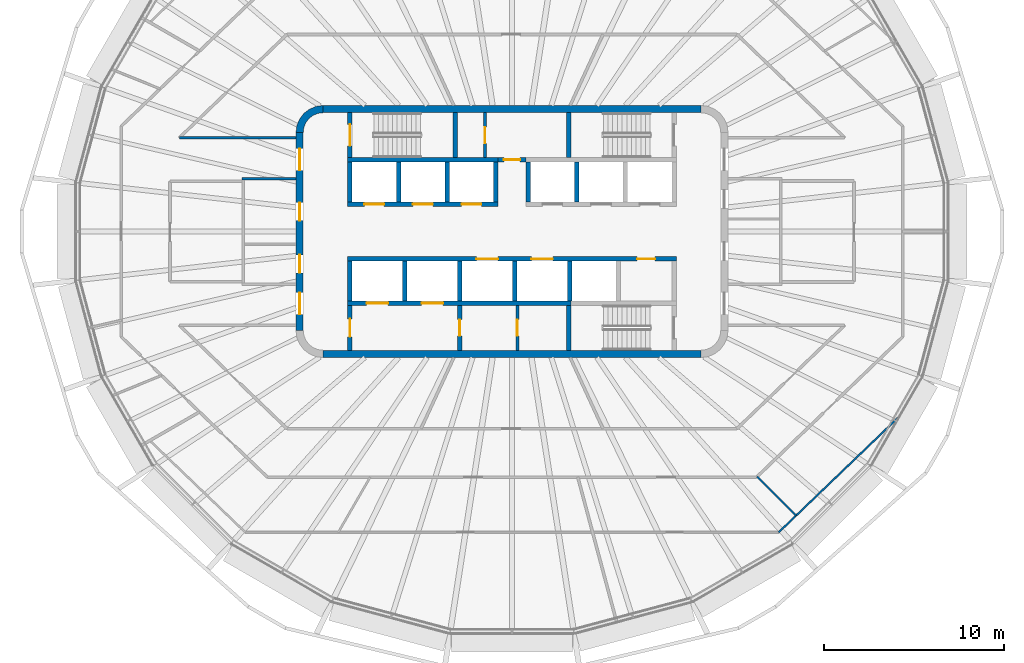
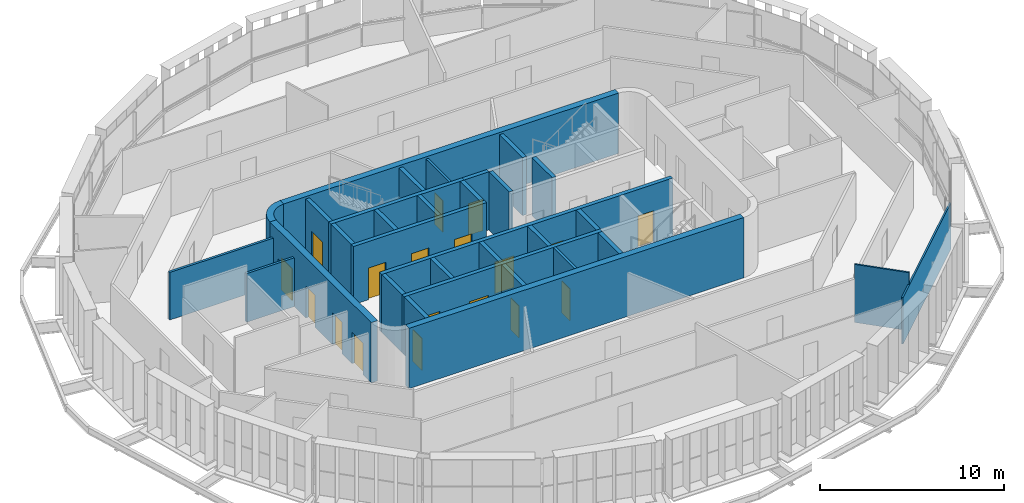
# One storey, part 9 of 18: 32 walls, 18 doors, 18 openings.
"""IFC4 building model written with IfcOpenShell, lengths in metres."""

import ifcopenshell
import ifcopenshell.guid

model = None  # the IFC model being written
_history = None  # IfcOwnerHistory: only IFC2X3 demands one
_inside = {}  # id of a spatial element -> (the spatial element, [elements in it])
_under = {}  # id of a project, library or spatial element -> (it, [spatial elements below it])
_declared = {}  # id of a project -> (the project, [libraries it declares])
_typed = {}  # id of a type object -> (the type object, [elements of that type])
_made_of = {}  # id of a material, layer set ... -> (it, [elements and type objects made of it])


def new_model(schema):
    """Start an empty IFC model of exactly this schema.

    Asked for "IFC4X3", IfcOpenShell would pick the latest addendum, in which some entities
    have other attributes; the version numbers below select the first issue.
    IFC2X3 requires an IfcOwnerHistory on every rooted entity: one is made here for all.
    """
    global model, _history
    if schema == "IFC4X3":
        model = ifcopenshell.file(schema_version=(4, 3, 0, 0))
    else:
        model = ifcopenshell.file(schema=schema)
    _inside.clear()
    _under.clear()
    _declared.clear()
    _typed.clear()
    _made_of.clear()
    _history = None
    if model.schema == "IFC2X3":
        org = make("IfcOrganization", Name="unknown")
        user = make(
            "IfcPersonAndOrganization",
            ThePerson=make("IfcPerson", FamilyName="unknown"),
            TheOrganization=org,
        )
        app = make(
            "IfcApplication",
            ApplicationDeveloper=org,
            Version="unknown",
            ApplicationFullName="unknown",
            ApplicationIdentifier="unknown",
        )
        _history = make(
            "IfcOwnerHistory",
            OwningUser=user,
            OwningApplication=app,
            ChangeAction="ADDED",
            CreationDate=0,
        )
    return model


def make(cls, **values):
    """One entity of the class cls with the attributes given. An attribute that is None is left unset."""
    return model.create_entity(
        cls, **{name: value for name, value in values.items() if value is not None}
    )


def rooted(cls, **values):
    """An entity with a GlobalId (a new one), such as an element, a storey or a relation."""
    return make(cls, GlobalId=ifcopenshell.guid.new(), OwnerHistory=_history, **values)


def si_unit(unit_type, name, prefix=None):
    """IfcSIUnit, for example si_unit("LENGTHUNIT", "METRE", prefix="MILLI")."""
    return make("IfcSIUnit", UnitType=unit_type, Prefix=prefix, Name=name)


def assignment(units):
    """IfcUnitAssignment: the units of a project."""
    return None if units is None else make("IfcUnitAssignment", Units=units)


def point(xyz):
    """IfcCartesianPoint."""
    return None if xyz is None else make("IfcCartesianPoint", Coordinates=xyz)


def direction(xyz):
    """IfcDirection."""
    return None if xyz is None else make("IfcDirection", DirectionRatios=xyz)


def frame(location, z_axis=None, x_axis=None):
    """IfcAxis2Placement3D, a coordinate frame: its origin and axes. An axis left out is left unset."""
    return make(
        "IfcAxis2Placement3D",
        Location=point(location),
        Axis=direction(z_axis),
        RefDirection=direction(x_axis),
    )


def frame_2d(location, x_axis=None):
    """IfcAxis2Placement2D, a coordinate frame in the plane: its origin and x axis."""
    return make(
        "IfcAxis2Placement2D", Location=point(location), RefDirection=direction(x_axis)
    )


def origin():
    """The frame at (0, 0, 0) with its axes left unset."""
    return frame((0.0, 0.0, 0.0))


def place(relative_to, where):
    """IfcLocalPlacement: puts the frame where relative to a parent placement (None: the world)."""
    return make(
        "IfcLocalPlacement", PlacementRelTo=relative_to, RelativePlacement=where
    )


def context(
    kind, dimensions, precision=None, world=None, true_north=None, identifier=None
):
    """IfcGeometricRepresentationContext, for example the 3D "Model" context."""
    return make(
        "IfcGeometricRepresentationContext",
        ContextIdentifier=identifier,
        ContextType=kind,
        CoordinateSpaceDimension=dimensions,
        Precision=precision,
        WorldCoordinateSystem=world,
        TrueNorth=true_north,
    )


def subcontext(parent, identifier, kind, view, scale=None):
    """IfcGeometricRepresentationSubContext, for example "Body" below "Model"."""
    return make(
        "IfcGeometricRepresentationSubContext",
        ContextIdentifier=identifier,
        ContextType=kind,
        ParentContext=parent,
        TargetScale=scale,
        TargetView=view,
    )


def project(units=None, contexts=None):
    """IfcProject with its units and contexts."""
    return rooted(
        "IfcProject",
        Name="project",
        RepresentationContexts=contexts,
        UnitsInContext=assignment(units),
    )


def spatial(cls, under=None, at=None, **own):
    """A site, building, storey or space (cls), placed at a placement, below another one or the project."""
    s = rooted(cls, ObjectPlacement=at, **own)
    if under is not None:
        _under.setdefault(under.id(), (under, []))[1].append(s)
    return s


def polyline(points):
    """IfcPolyline through the points."""
    return make("IfcPolyline", Points=[point(p) for p in points])


def profile(cls, at=None, kind="AREA", **sizes):
    """A parametric profile (cls). Its sizes go by their IFC names, for example OverallWidth=200.0."""
    return make(cls, ProfileType=kind, Position=at, **sizes)


def rectangle(**sizes):
    """IfcRectangleProfileDef."""
    return profile("IfcRectangleProfileDef", **sizes)


def outline(outer, holes=None, kind="AREA"):
    """IfcArbitraryClosedProfileDef: a profile drawn as a closed curve; with holes, ...WithVoids."""
    if holes is None:
        return make("IfcArbitraryClosedProfileDef", ProfileType=kind, OuterCurve=outer)
    return make(
        "IfcArbitraryProfileDefWithVoids",
        ProfileType=kind,
        OuterCurve=outer,
        InnerCurves=holes,
    )


def extrude(swept, where, along, depth):
    """IfcExtrudedAreaSolid: the profile swept, set in the frame where, extruded along a direction by depth."""
    return make(
        "IfcExtrudedAreaSolid",
        SweptArea=swept,
        Position=where,
        ExtrudedDirection=direction(along),
        Depth=depth,
    )


def shape(context_of_items, identifier, shape_type, items):
    """IfcShapeRepresentation: the items that make up one representation, for example the "Body"."""
    return make(
        "IfcShapeRepresentation",
        ContextOfItems=context_of_items,
        RepresentationIdentifier=identifier,
        RepresentationType=shape_type,
        Items=items,
    )


def material(Name=None, Category=None):
    """IfcMaterial."""
    return make("IfcMaterial", Name=Name, Category=Category)


def layer(
    of_material, thickness, ventilated=None, Name=None, Category=None, Priority=None
):
    """IfcMaterialLayer: one layer of a wall or slab, of a material (None: an air gap)."""
    return make(
        "IfcMaterialLayer",
        Material=of_material,
        LayerThickness=thickness,
        IsVentilated=ventilated,
        Name=Name,
        Category=Category,
        Priority=Priority,
    )


def layer_set(layers, Name=None):
    """IfcMaterialLayerSet."""
    return make("IfcMaterialLayerSet", MaterialLayers=layers, LayerSetName=Name)


def made_of(thing, what):
    """Note that an element or type object is made of a material, layer set ...; save() writes the relation."""
    if what is not None:
        _made_of.setdefault(what.id(), (what, []))[1].append(thing)
    return thing


def type_object(cls, material=None, **own):
    """A type object (cls), such as IfcWallType, which elements share."""
    return made_of(rooted(cls, **own), material)


def element(
    cls,
    number,
    at=None,
    inside=None,
    cuts=None,
    type_object=None,
    material=None,
    context=None,
    identifier="Body",
    shape_type=None,
    held_by="IfcProductDefinitionShape",
    body=None,
    shapes=None,
    **own,
):
    """One element of the class cls, such as IfcWall. Its Tag is "e" and its number.

    at: its placement. inside: the storey or other place that contains it. cuts: it is an
    opening in that element (IfcRelVoidsElement). A single representation is given by context,
    identifier, shape_type and body (its items); several are given by shapes. held_by: the class
    of the entity that holds the representations. save() writes the other relations.
    """
    e = rooted(cls, Tag="e%d" % number, ObjectPlacement=at, **own)
    if body is not None:
        shapes = [shape(context, identifier, shape_type, body)]
    if shapes is not None:
        e.Representation = make(held_by, Representations=shapes)
    if inside is not None:
        _inside.setdefault(inside.id(), (inside, []))[1].append(e)
    if cuts is not None:
        rooted(
            "IfcRelVoidsElement", RelatingBuildingElement=cuts, RelatedOpeningElement=e
        )
    if type_object is not None:
        _typed.setdefault(type_object.id(), (type_object, []))[1].append(e)
    return made_of(e, material)


def fill(opening, filler):
    """IfcRelFillsElement: the door or window that sits in an opening."""
    return rooted(
        "IfcRelFillsElement",
        RelatingOpeningElement=opening,
        RelatedBuildingElement=filler,
    )


def aggregate(whole, parts):
    """IfcRelAggregates: a whole, such as a stair, and the parts it consists of."""
    return rooted("IfcRelAggregates", RelatingObject=whole, RelatedObjects=parts)


def save(model, path):
    """Write the relations noted so far, then the file.

    IfcRelAggregates (storeys below a building ...), IfcRelContainedInSpatialStructure (elements
    in a storey), IfcRelDefinesByType, IfcRelAssociatesMaterial and IfcRelDeclares: one each for
    every whole, place, type object, material and project.
    """
    for whole, parts in _under.values():
        aggregate(whole, parts)
    for where, things in _inside.values():
        rooted(
            "IfcRelContainedInSpatialStructure",
            RelatedElements=things,
            RelatingStructure=where,
        )
    for kind, things in _typed.values():
        rooted("IfcRelDefinesByType", RelatedObjects=things, RelatingType=kind)
    for what, things in _made_of.values():
        rooted("IfcRelAssociatesMaterial", RelatedObjects=things, RelatingMaterial=what)
    for by, libraries in _declared.values():
        rooted("IfcRelDeclares", RelatingContext=by, RelatedDefinitions=libraries)
    model.write(path)


model = new_model("IFC4")

# Units and contexts
model_context = context("Model", 3, precision=1e-05, world=origin(), true_north=direction((0.0, 1.0)))
body_context = subcontext(model_context, "Body", "Model", "MODEL_VIEW")
ifc_project = project(units=[si_unit("LENGTHUNIT", "METRE"), si_unit("AREAUNIT", "SQUARE_METRE"), si_unit("VOLUMEUNIT", "CUBIC_METRE"), si_unit("PLANEANGLEUNIT", "RADIAN"), si_unit("MASSUNIT", "GRAM", prefix="KILO")], contexts=[model_context])

# Site, building, storey
site_placement = place(None, origin())
site = spatial("IfcSite", under=ifc_project, at=site_placement, CompositionType="ELEMENT")
building_placement = place(site_placement, origin())
building = spatial("IfcBuilding", under=site, at=building_placement, Name="Sahrelin Media Tower", CompositionType="ELEMENT")
storey_placement = place(building_placement, frame((0.0, 0.0, 320.39990234375)))
storey = spatial("IfcBuildingStorey", under=building, at=storey_placement, Name="L71", CompositionType="ELEMENT", Elevation=320.39990234375)

# Walls
ifc_material_1 = material(Name="Concrete C60/75", Category="concrete")
ifc_layer_1 = layer(ifc_material_1, 0.39990234375)
ifc_layer_set_1 = layer_set([ifc_layer_1], Name="Core wall 400")
wall_type_1 = type_object("IfcWallType", Name="Core wall 400", PredefinedType="SHEAR", material=ifc_layer_set_1)
for number, where, z_axis, x_axis, name in (
    (1, (-10.5, 6.800048828125, 0.0), (0.0, 0.0, 1.0), (1.0, 0.0, 0.0), "Core wall N L71"),
    (2, (-10.5, -6.800048828125, 0.0), (0.0, 0.0, 1.0), (1.0, 0.0, 0.0), "Core wall S L71"),
):
    element("IfcWall", number, at=place(storey_placement, frame(where, z_axis=z_axis, x_axis=x_axis)), inside=storey, type_object=wall_type_1, Name=name, PredefinedType="SHEAR", context=body_context, shape_type="SweptSolid", body=[
        extrude(rectangle(XDim=21.0, YDim=0.39990234375, at=frame_2d((10.5, 0.0))), origin(), (0.0, 0.0, 1.0), 4.0),
    ])

# Wall, openings, doors
wall_1_placement = place(storey_placement, frame((-11.800048828125, -5.5, 0.0), z_axis=(0.0, 0.0, 1.0), x_axis=(0.0, 1.0, 0.0)))
wall_1 = element("IfcWall", 3, at=wall_1_placement, inside=storey, type_object=wall_type_1, Name="Core wall W L71", PredefinedType="SHEAR", context=body_context, shape_type="SweptSolid", body=[
    extrude(rectangle(XDim=11.0, YDim=0.39990234375, at=frame_2d((5.5, 0.0))), origin(), (0.0, 0.0, 1.0), 4.0),
])
opening_1_placement = place(wall_1_placement, frame((3.199951171875, 0.0, 0.0)))
opening_1 = element("IfcOpeningElement", 4, at=opening_1_placement, cuts=wall_1, Name="Opening L71-D10", PredefinedType="OPENING", context=body_context, shape_type="SweptSolid", body=[
    extrude(rectangle(XDim=1.0, YDim=2.10009765625, at=frame_2d((0.5, 1.050048828125))), frame((0.0, 0.199951171875, 0.0), z_axis=(0.0, -1.0, 0.0), x_axis=(1.0, 0.0, 0.0)), (0.0, 0.0, 1.0), 0.39990234375),
])
opening_2_placement = place(wall_1_placement, frame((6.10009765625, 0.0, 0.0)))
opening_2 = element("IfcOpeningElement", 5, at=opening_2_placement, cuts=wall_1, Name="Opening L71-D11", PredefinedType="OPENING", context=body_context, shape_type="SweptSolid", body=[
    extrude(rectangle(XDim=1.0, YDim=2.10009765625, at=frame_2d((0.5, 1.050048828125))), frame((0.0, 0.199951171875, 0.0), z_axis=(0.0, -1.0, 0.0), x_axis=(1.0, 0.0, 0.0)), (0.0, 0.0, 1.0), 0.39990234375),
])
opening_3_placement = place(wall_1_placement, frame((0.89990234375, 0.0, 0.0)))
opening_3 = element("IfcOpeningElement", 6, at=opening_3_placement, cuts=wall_1, Name="Opening L71-D14", PredefinedType="OPENING", context=body_context, shape_type="SweptSolid", body=[
    extrude(rectangle(XDim=1.199951171875, YDim=2.10009765625, at=frame_2d((0.60009765625, 1.050048828125))), frame((0.0, 0.199951171875, 0.0), z_axis=(0.0, -1.0, 0.0), x_axis=(1.0, 0.0, 0.0)), (0.0, 0.0, 1.0), 0.39990234375),
])
opening_4_placement = place(wall_1_placement, frame((8.89990234375, 0.0, 0.0)))
opening_4 = element("IfcOpeningElement", 7, at=opening_4_placement, cuts=wall_1, Name="Opening L71-D15", PredefinedType="OPENING", context=body_context, shape_type="SweptSolid", body=[
    extrude(rectangle(XDim=1.199951171875, YDim=2.10009765625, at=frame_2d((0.60009765625, 1.050048828125))), frame((0.0, 0.199951171875, 0.0), z_axis=(0.0, -1.0, 0.0), x_axis=(1.0, 0.0, 0.0)), (0.0, 0.0, 1.0), 0.39990234375),
])
ifc_material_2 = material(Name="Steel fire door leaf", Category="steel")
door_type_1 = type_object("IfcDoorType", Name="Fire door 1000 x 2100 EI 60", OperationType="NOTDEFINED", PredefinedType="DOOR", material=ifc_material_2)
door_1_placement = place(opening_1_placement, origin())
door_1 = element("IfcDoor", 8, at=door_1_placement, inside=storey, type_object=door_type_1, Name="Core room door", OperationType="SINGLE_SWING_RIGHT", OverallHeight=2.10009765625, OverallWidth=1.0, PredefinedType="DOOR", context=body_context, shape_type="SweptSolid", body=[
    extrude(rectangle(XDim=1.0, YDim=2.10009765625, at=frame_2d((0.5, 1.050048828125))), frame((0.0, 0.02490234375, 0.0), z_axis=(0.0, -1.0, 0.0), x_axis=(1.0, 0.0, 0.0)), (0.0, 0.0, 1.0), 0.050048828125),
])
fill(opening_1, door_1)
door_2_placement = place(opening_2_placement, origin())
door_2 = element("IfcDoor", 9, at=door_2_placement, inside=storey, type_object=door_type_1, Name="Core room door", OperationType="SINGLE_SWING_RIGHT", OverallHeight=2.10009765625, OverallWidth=1.0, PredefinedType="DOOR", context=body_context, shape_type="SweptSolid", body=[
    extrude(rectangle(XDim=1.0, YDim=2.10009765625, at=frame_2d((0.5, 1.050048828125))), frame((0.0, 0.02490234375, 0.0), z_axis=(0.0, -1.0, 0.0), x_axis=(1.0, 0.0, 0.0)), (0.0, 0.0, 1.0), 0.050048828125),
])
fill(opening_2, door_2)
door_type_2 = type_object("IfcDoorType", Name="Lobby door 1200 x 2100 EI 60", OperationType="NOTDEFINED", PredefinedType="DOOR", material=ifc_material_2)
door_3_placement = place(opening_3_placement, origin())
door_3 = element("IfcDoor", 10, at=door_3_placement, inside=storey, type_object=door_type_2, Name="Lobby door", OperationType="SINGLE_SWING_LEFT", OverallHeight=2.10009765625, OverallWidth=1.199951171875, PredefinedType="DOOR", context=body_context, shape_type="SweptSolid", body=[
    extrude(rectangle(XDim=1.199951171875, YDim=2.10009765625, at=frame_2d((0.60009765625, 1.050048828125))), frame((0.0, 0.02490234375, 0.0), z_axis=(0.0, -1.0, 0.0), x_axis=(1.0, 0.0, 0.0)), (0.0, 0.0, 1.0), 0.050048828125),
])
fill(opening_3, door_3)
door_4_placement = place(opening_4_placement, origin())
door_4 = element("IfcDoor", 11, at=door_4_placement, inside=storey, type_object=door_type_2, Name="Lobby door", OperationType="SINGLE_SWING_LEFT", OverallHeight=2.10009765625, OverallWidth=1.199951171875, PredefinedType="DOOR", context=body_context, shape_type="SweptSolid", body=[
    extrude(rectangle(XDim=1.199951171875, YDim=2.10009765625, at=frame_2d((0.60009765625, 1.050048828125))), frame((0.0, 0.02490234375, 0.0), z_axis=(0.0, -1.0, 0.0), x_axis=(1.0, 0.0, 0.0)), (0.0, 0.0, 1.0), 0.050048828125),
])
fill(opening_4, door_4)

# Wall
wall_2_placement = place(storey_placement, origin())
element("IfcWall", 12, at=wall_2_placement, inside=storey, type_object=wall_type_1, Name="Core wall corner NW L71", PredefinedType="SHEAR", context=body_context, shape_type="SweptSolid", body=[
    extrude(outline(polyline([(-12.0, 5.5), (-11.596435546875, 5.5), (-11.55908203125, 5.78369140625), (-11.44970703125, 6.04833984375), (-11.275390625, 6.275390625), (-11.04833984375, 6.44970703125), (-10.78369140625, 6.55908203125), (-10.5, 6.596435546875), (-10.5, 7.0), (-10.88818359375, 6.948974609375), (-11.25, 6.799072265625), (-11.560791015625, 6.560791015625), (-11.799072265625, 6.25), (-11.948974609375, 5.88818359375), (-12.0, 5.5)])), origin(), (0.0, 0.0, 1.0), 4.0),
])

# Wall, opening, door
ifc_material_3 = material(Name="Fire-rated gypsum board partition")
ifc_layer_2 = layer(ifc_material_3, 0.25)
ifc_layer_set_2 = layer_set([ifc_layer_2], Name="Fire-rated lobby wall 250")
wall_type_2 = type_object("IfcWallType", Name="Fire-rated lobby wall 250", PredefinedType="PARTITIONING", material=ifc_layer_set_2)
wall_3_placement = place(storey_placement, frame((-0.77490234375, 3.97509765625, 0.0), z_axis=(0.0, 0.0, 1.0), x_axis=(1.0, 0.0, 0.0)))
wall_3 = element("IfcWall", 13, at=wall_3_placement, inside=storey, type_object=wall_type_2, Name="Core lobby wall", PredefinedType="PARTITIONING", context=body_context, shape_type="SweptSolid", body=[
    extrude(rectangle(XDim=1.5498046875, YDim=0.25, at=frame_2d((0.77490234375, 0.0))), origin(), (0.0, 0.0, 1.0), 3.85009765625),
])
opening_5_placement = place(wall_3_placement, frame((0.324951171875, 0.0, 0.0)))
opening_5 = element("IfcOpeningElement", 14, at=opening_5_placement, cuts=wall_3, Name="Opening L71-D06", PredefinedType="OPENING", context=body_context, shape_type="SweptSolid", body=[
    extrude(rectangle(XDim=0.89990234375, YDim=2.10009765625, at=frame_2d((0.449951171875, 1.050048828125))), frame((0.0, 0.125, 0.0), z_axis=(0.0, -1.0, 0.0), x_axis=(1.0, 0.0, 0.0)), (0.0, 0.0, 1.0), 0.25),
])
door_type_3 = type_object("IfcDoorType", Name="Riser door 900 x 2100 EI 120", OperationType="NOTDEFINED", PredefinedType="DOOR", material=ifc_material_2)
door_5_placement = place(opening_5_placement, origin())
door_5 = element("IfcDoor", 15, at=door_5_placement, inside=storey, type_object=door_type_3, Name="Core room door", OperationType="SINGLE_SWING_LEFT", OverallHeight=2.10009765625, OverallWidth=0.89990234375, PredefinedType="DOOR", context=body_context, shape_type="SweptSolid", body=[
    extrude(rectangle(XDim=0.89990234375, YDim=2.10009765625, at=frame_2d((0.449951171875, 1.050048828125))), frame((0.0, 0.02490234375, 0.0), z_axis=(0.0, -1.0, 0.0), x_axis=(1.0, 0.0, 0.0)), (0.0, 0.0, 1.0), 0.050048828125),
])
fill(opening_5, door_5)

ifc_layer_3 = layer(ifc_material_3, 0.14990234375)
ifc_layer_set_3 = layer_set([ifc_layer_3], Name="Fire-rated partition 150")
wall_type_3 = type_object("IfcWallType", Name="Fire-rated partition 150", PredefinedType="PARTITIONING", material=ifc_layer_set_3)
wall_4_placement = place(storey_placement, frame((-1.5, 4.10009765625, 0.0), z_axis=(0.0, 0.0, 1.0), x_axis=(0.0, 1.0, 0.0)))
wall_4 = element("IfcWall", 16, at=wall_4_placement, inside=storey, type_object=wall_type_3, Name="Core room fire partition", PredefinedType="PARTITIONING", context=body_context, shape_type="SweptSolid", body=[
    extrude(rectangle(XDim=2.5, YDim=0.14990234375, at=frame_2d((1.25, 0.0))), origin(), (0.0, 0.0, 1.0), 3.85009765625),
])
opening_6_placement = place(wall_4_placement, frame((0.800048828125, 0.0, 0.0)))
opening_6 = element("IfcOpeningElement", 17, at=opening_6_placement, cuts=wall_4, Name="Opening L71-D07", PredefinedType="OPENING", context=body_context, shape_type="SweptSolid", body=[
    extrude(rectangle(XDim=0.89990234375, YDim=2.10009765625, at=frame_2d((0.449951171875, 1.050048828125))), frame((0.0, 0.074951171875, 0.0), z_axis=(0.0, -1.0, 0.0), x_axis=(1.0, 0.0, 0.0)), (0.0, 0.0, 1.0), 0.14990234375),
])
door_type_4 = type_object("IfcDoorType", Name="Fire door 900 x 2100 EI 60", OperationType="NOTDEFINED", PredefinedType="DOOR", material=ifc_material_2)
door_6_placement = place(opening_6_placement, origin())
door_6 = element("IfcDoor", 18, at=door_6_placement, inside=storey, type_object=door_type_4, Name="Core room door", OperationType="SINGLE_SWING_LEFT", OverallHeight=2.10009765625, OverallWidth=0.89990234375, PredefinedType="DOOR", context=body_context, shape_type="SweptSolid", body=[
    extrude(rectangle(XDim=0.89990234375, YDim=2.10009765625, at=frame_2d((0.449951171875, 1.050048828125))), frame((0.0, 0.02490234375, 0.0), z_axis=(0.0, -1.0, 0.0), x_axis=(1.0, 0.0, 0.0)), (0.0, 0.0, 1.0), 0.050048828125),
])
fill(opening_6, door_6)

wall_5_placement = place(storey_placement, frame((0.300048828125, -6.60009765625, 0.0), z_axis=(0.0, 0.0, 1.0), x_axis=(0.0, 1.0, 0.0)))
wall_5 = element("IfcWall", 19, at=wall_5_placement, inside=storey, type_object=wall_type_3, Name="Core room fire partition", PredefinedType="PARTITIONING", context=body_context, shape_type="SweptSolid", body=[
    extrude(rectangle(XDim=2.5, YDim=0.14990234375, at=frame_2d((1.25, 0.0))), origin(), (0.0, 0.0, 1.0), 3.85009765625),
])
opening_7_placement = place(wall_5_placement, frame((0.800048828125, 0.0, 0.0)))
opening_7 = element("IfcOpeningElement", 20, at=opening_7_placement, cuts=wall_5, Name="Opening L71-D08", PredefinedType="OPENING", context=body_context, shape_type="SweptSolid", body=[
    extrude(rectangle(XDim=0.89990234375, YDim=2.10009765625, at=frame_2d((0.449951171875, 1.050048828125))), frame((0.0, 0.074951171875, 0.0), z_axis=(0.0, -1.0, 0.0), x_axis=(1.0, 0.0, 0.0)), (0.0, 0.0, 1.0), 0.14990234375),
])
door_7_placement = place(opening_7_placement, origin())
door_7 = element("IfcDoor", 21, at=door_7_placement, inside=storey, type_object=door_type_4, Name="Core room door", OperationType="SINGLE_SWING_RIGHT", OverallHeight=2.10009765625, OverallWidth=0.89990234375, PredefinedType="DOOR", context=body_context, shape_type="SweptSolid", body=[
    extrude(rectangle(XDim=0.89990234375, YDim=2.10009765625, at=frame_2d((0.449951171875, 1.050048828125))), frame((0.0, 0.02490234375, 0.0), z_axis=(0.0, -1.0, 0.0), x_axis=(1.0, 0.0, 0.0)), (0.0, 0.0, 1.0), 0.050048828125),
])
fill(opening_7, door_7)

# Walls
wall_6_placement = place(storey_placement, frame((-15.0, 2.925048828125, 0.0), z_axis=(0.0, 0.0, 1.0), x_axis=(1.0, 0.0, 0.0)))
element("IfcWall", 22, at=wall_6_placement, inside=storey, type_object=wall_type_3, Name="Core room fire partition", PredefinedType="PARTITIONING", context=body_context, shape_type="SweptSolid", body=[
    extrude(rectangle(XDim=3.0, YDim=0.14990234375, at=frame_2d((1.5, 0.0))), origin(), (0.0, 0.0, 1.0), 3.2275390625),
])
wall_7_placement = place(storey_placement, frame((-18.48388671875, 5.199951171875, 0.0), z_axis=(0.0, 0.0, 1.0), x_axis=(1.0, 0.0, 0.0)))
element("IfcWall", 23, at=wall_7_placement, inside=storey, type_object=wall_type_3, Name="Wall", PredefinedType="PARTITIONING", context=body_context, shape_type="SweptSolid", body=[
    extrude(rectangle(XDim=6.48388671875, YDim=0.14990234375, at=frame_2d((3.241943359375, 0.0))), origin(), (0.0, 0.0, 1.0), 3.152099609375),
])

# Wall, opening, door
ifc_layer_4 = layer(ifc_material_3, 0.25)
ifc_layer_set_4 = layer_set([ifc_layer_4], Name="Firefighting lobby wall 250")
wall_type_4 = type_object("IfcWallType", Name="Firefighting lobby wall 250", PredefinedType="PARTITIONING", material=ifc_layer_set_4)
wall_8_placement = place(storey_placement, frame((-9.0, -6.60009765625, 0.0), z_axis=(0.0, 0.0, 1.0), x_axis=(0.0, 1.0, 0.0)))
wall_8 = element("IfcWall", 24, at=wall_8_placement, inside=storey, type_object=wall_type_4, Name="Core wall", PredefinedType="PARTITIONING", context=body_context, shape_type="SweptSolid", body=[
    extrude(rectangle(XDim=2.5, YDim=0.25, at=frame_2d((1.25, 0.0))), origin(), (0.0, 0.0, 1.0), 3.85009765625),
])
opening_8_placement = place(wall_8_placement, frame((0.75, 0.0, 0.0)))
opening_8 = element("IfcOpeningElement", 25, at=opening_8_placement, cuts=wall_8, Name="Opening L71-D04", PredefinedType="OPENING", context=body_context, shape_type="SweptSolid", body=[
    extrude(rectangle(XDim=1.0, YDim=2.10009765625, at=frame_2d((0.5, 1.050048828125))), frame((0.0, 0.125, 0.0), z_axis=(0.0, -1.0, 0.0), x_axis=(1.0, 0.0, 0.0)), (0.0, 0.0, 1.0), 0.25),
])
door_type_5 = type_object("IfcDoorType", Name="Firefighting lobby door 1000 x 2100 EI 120", OperationType="NOTDEFINED", PredefinedType="DOOR", material=ifc_material_2)
door_8_placement = place(opening_8_placement, origin())
door_8 = element("IfcDoor", 26, at=door_8_placement, inside=storey, type_object=door_type_5, Name="Firefighting lobby door", OperationType="SINGLE_SWING_LEFT", OverallHeight=2.10009765625, OverallWidth=1.0, PredefinedType="DOOR", context=body_context, shape_type="SweptSolid", body=[
    extrude(rectangle(XDim=1.0, YDim=2.10009765625, at=frame_2d((0.5, 1.050048828125))), frame((0.0, 0.02490234375, 0.0), z_axis=(0.0, -1.0, 0.0), x_axis=(1.0, 0.0, 0.0)), (0.0, 0.0, 1.0), 0.050048828125),
])
fill(opening_8, door_8)

wall_9_placement = place(storey_placement, frame((-2.89990234375, -6.60009765625, 0.0), z_axis=(0.0, 0.0, 1.0), x_axis=(0.0, 1.0, 0.0)))
wall_9 = element("IfcWall", 27, at=wall_9_placement, inside=storey, type_object=wall_type_4, Name="Core wall", PredefinedType="PARTITIONING", context=body_context, shape_type="SweptSolid", body=[
    extrude(rectangle(XDim=2.5, YDim=0.25, at=frame_2d((1.25, 0.0))), origin(), (0.0, 0.0, 1.0), 3.85009765625),
])
opening_9_placement = place(wall_9_placement, frame((0.800048828125, 0.0, 0.0)))
opening_9 = element("IfcOpeningElement", 28, at=opening_9_placement, cuts=wall_9, Name="Opening L71-D05", PredefinedType="OPENING", context=body_context, shape_type="SweptSolid", body=[
    extrude(rectangle(XDim=0.89990234375, YDim=2.10009765625, at=frame_2d((0.449951171875, 1.050048828125))), frame((0.0, 0.125, 0.0), z_axis=(0.0, -1.0, 0.0), x_axis=(1.0, 0.0, 0.0)), (0.0, 0.0, 1.0), 0.25),
])
door_type_6 = type_object("IfcDoorType", Name="Firefighting lobby door 900 x 2100 EI 120", OperationType="NOTDEFINED", PredefinedType="DOOR", material=ifc_material_2)
door_9_placement = place(opening_9_placement, origin())
door_9 = element("IfcDoor", 29, at=door_9_placement, inside=storey, type_object=door_type_6, Name="Riser door", OperationType="SINGLE_SWING_RIGHT", OverallHeight=2.10009765625, OverallWidth=0.89990234375, PredefinedType="DOOR", context=body_context, shape_type="SweptSolid", body=[
    extrude(rectangle(XDim=0.89990234375, YDim=2.10009765625, at=frame_2d((0.449951171875, 1.050048828125))), frame((0.0, 0.02490234375, 0.0), z_axis=(0.0, -1.0, 0.0), x_axis=(1.0, 0.0, 0.0)), (0.0, 0.0, 1.0), 0.050048828125),
])
fill(opening_9, door_9)

# Wall, openings, doors
ifc_layer_5 = layer(ifc_material_1, 0.25)
ifc_layer_set_5 = layer_set([ifc_layer_5], Name="Lift shaft wall 250")
wall_type_5 = type_object("IfcWallType", Name="Lift shaft wall 250", PredefinedType="SOLIDWALL", material=ifc_layer_set_5)
wall_10_placement = place(storey_placement, frame((-9.125, 1.52490234375, 0.0), z_axis=(0.0, 0.0, 1.0), x_axis=(1.0, 0.0, 0.0)))
wall_10 = element("IfcWall", 30, at=wall_10_placement, inside=storey, type_object=wall_type_5, Name="Lift shaft wall", PredefinedType="SOLIDWALL", context=body_context, shape_type="SweptSolid", body=[
    extrude(rectangle(XDim=8.35009765625, YDim=0.25, at=frame_2d((4.175048828125, 0.0))), origin(), (0.0, 0.0, 1.0), 3.85009765625),
])
opening_10_placement = place(wall_10_placement, frame((0.925048828125, 0.0, 0.0)))
opening_10 = element("IfcOpeningElement", 31, at=opening_10_placement, cuts=wall_10, Name="Opening L71-LD-HR1", PredefinedType="OPENING", context=body_context, shape_type="SweptSolid", body=[
    extrude(rectangle(XDim=1.10009765625, YDim=2.10009765625, at=frame_2d((0.550048828125, 1.050048828125))), frame((0.0, 0.125, 0.0), z_axis=(0.0, -1.0, 0.0), x_axis=(1.0, 0.0, 0.0)), (0.0, 0.0, 1.0), 0.25),
])
opening_11_placement = place(wall_10_placement, frame((3.625, 0.0, 0.0)))
opening_11 = element("IfcOpeningElement", 32, at=opening_11_placement, cuts=wall_10, Name="Opening L71-LD-HR2", PredefinedType="OPENING", context=body_context, shape_type="SweptSolid", body=[
    extrude(rectangle(XDim=1.10009765625, YDim=2.10009765625, at=frame_2d((0.550048828125, 1.050048828125))), frame((0.0, 0.125, 0.0), z_axis=(0.0, -1.0, 0.0), x_axis=(1.0, 0.0, 0.0)), (0.0, 0.0, 1.0), 0.25),
])
opening_12_placement = place(wall_10_placement, frame((6.324951171875, 0.0, 0.0)))
opening_12 = element("IfcOpeningElement", 33, at=opening_12_placement, cuts=wall_10, Name="Opening L71-LD-HR3", PredefinedType="OPENING", context=body_context, shape_type="SweptSolid", body=[
    extrude(rectangle(XDim=1.10009765625, YDim=2.10009765625, at=frame_2d((0.550048828125, 1.050048828125))), frame((0.0, 0.125, 0.0), z_axis=(0.0, -1.0, 0.0), x_axis=(1.0, 0.0, 0.0)), (0.0, 0.0, 1.0), 0.25),
])
ifc_material_4 = material(Name="Stainless steel", Category="steel")
door_type_7 = type_object("IfcDoorType", Name="Lift landing door 1100 x 2100 EI 120", OperationType="DOUBLE_DOOR_SLIDING", PredefinedType="DOOR", material=ifc_material_4)
door_10_placement = place(opening_10_placement, origin())
door_10 = element("IfcDoor", 34, at=door_10_placement, inside=storey, type_object=door_type_7, Name="Lift landing door HR1", OperationType="DOUBLE_DOOR_SLIDING", OverallHeight=2.10009765625, OverallWidth=1.10009765625, PredefinedType="DOOR", context=body_context, shape_type="SweptSolid", body=[
    extrude(rectangle(XDim=1.10009765625, YDim=2.10009765625, at=frame_2d((0.550048828125, 1.050048828125))), frame((0.0, 0.02490234375, 0.0), z_axis=(0.0, -1.0, 0.0), x_axis=(1.0, 0.0, 0.0)), (0.0, 0.0, 1.0), 0.050048828125),
])
fill(opening_10, door_10)
door_11_placement = place(opening_11_placement, origin())
door_11 = element("IfcDoor", 35, at=door_11_placement, inside=storey, type_object=door_type_7, Name="Lift landing door HR2", OperationType="DOUBLE_DOOR_SLIDING", OverallHeight=2.10009765625, OverallWidth=1.10009765625, PredefinedType="DOOR", context=body_context, shape_type="SweptSolid", body=[
    extrude(rectangle(XDim=1.10009765625, YDim=2.10009765625, at=frame_2d((0.550048828125, 1.050048828125))), frame((0.0, 0.02490234375, 0.0), z_axis=(0.0, -1.0, 0.0), x_axis=(1.0, 0.0, 0.0)), (0.0, 0.0, 1.0), 0.050048828125),
])
fill(opening_11, door_11)
door_12_placement = place(opening_12_placement, origin())
door_12 = element("IfcDoor", 36, at=door_12_placement, inside=storey, type_object=door_type_7, Name="Lift landing door HR3", OperationType="DOUBLE_DOOR_SLIDING", OverallHeight=2.10009765625, OverallWidth=1.10009765625, PredefinedType="DOOR", context=body_context, shape_type="SweptSolid", body=[
    extrude(rectangle(XDim=1.10009765625, YDim=2.10009765625, at=frame_2d((0.550048828125, 1.050048828125))), frame((0.0, 0.02490234375, 0.0), z_axis=(0.0, -1.0, 0.0), x_axis=(1.0, 0.0, 0.0)), (0.0, 0.0, 1.0), 0.050048828125),
])
fill(opening_12, door_12)

# Walls
wall_11_placement = place(storey_placement, frame((-9.125, 3.97509765625, 0.0), z_axis=(0.0, 0.0, 1.0), x_axis=(1.0, 0.0, 0.0)))
element("IfcWall", 37, at=wall_11_placement, inside=storey, type_object=wall_type_5, Name="Lift shaft wall", PredefinedType="SOLIDWALL", context=body_context, shape_type="SweptSolid", body=[
    extrude(rectangle(XDim=8.35009765625, YDim=0.25, at=frame_2d((4.175048828125, 0.0))), origin(), (0.0, 0.0, 1.0), 3.85009765625),
])
for number, where, z_axis, x_axis, name in (
    (38, (-9.0, 1.64990234375, 0.0), (0.0, 0.0, 1.0), (0.0, 1.0, 0.0), "Lift shaft wall"),
    (39, (-6.300048828125, 1.64990234375, 0.0), (0.0, 0.0, 1.0), (0.0, 1.0, 0.0), "Lift shaft wall"),
    (40, (-3.60009765625, 1.64990234375, 0.0), (0.0, 0.0, 1.0), (0.0, 1.0, 0.0), "Lift shaft wall"),
    (41, (3.60009765625, 1.64990234375, 0.0), (0.0, 0.0, 1.0), (0.0, 1.0, 0.0), "Lift shaft wall"),
    (42, (-0.89990234375, 1.64990234375, 0.0), (0.0, 0.0, 1.0), (0.0, 1.0, 0.0), "Lift shaft wall"),
    (43, (0.89990234375, 1.64990234375, 0.0), (0.0, 0.0, 1.0), (0.0, 1.0, 0.0), "Lift shaft wall"),
):
    element("IfcWall", number, at=place(storey_placement, frame(where, z_axis=z_axis, x_axis=x_axis)), inside=storey, type_object=wall_type_5, Name=name, PredefinedType="SOLIDWALL", context=body_context, shape_type="SweptSolid", body=[
        extrude(rectangle(XDim=2.2001953125, YDim=0.25, at=frame_2d((1.10009765625, 0.0))), origin(), (0.0, 0.0, 1.0), 3.85009765625),
    ])

# Wall, openings, doors
wall_12_placement = place(storey_placement, frame((-9.125, -1.52490234375, 0.0), z_axis=(0.0, 0.0, 1.0), x_axis=(1.0, 0.0, 0.0)))
wall_12 = element("IfcWall", 44, at=wall_12_placement, inside=storey, type_object=wall_type_5, Name="Lift shaft wall", PredefinedType="SOLIDWALL", context=body_context, shape_type="SweptSolid", body=[
    extrude(rectangle(XDim=18.25, YDim=0.25, at=frame_2d((9.125, 0.0))), origin(), (0.0, 0.0, 1.0), 3.85009765625),
])
opening_13_placement = place(wall_12_placement, frame((7.14990234375, 0.0, 0.0)))
opening_13 = element("IfcOpeningElement", 45, at=opening_13_placement, cuts=wall_12, Name="Opening L71-LD-SV1", PredefinedType="OPENING", context=body_context, shape_type="SweptSolid", body=[
    extrude(rectangle(XDim=1.199951171875, YDim=2.10009765625, at=frame_2d((0.60009765625, 1.050048828125))), frame((0.0, 0.125, 0.0), z_axis=(0.0, -1.0, 0.0), x_axis=(1.0, 0.0, 0.0)), (0.0, 0.0, 1.0), 0.25),
])
opening_14_placement = place(wall_12_placement, frame((10.199951171875, 0.0, 0.0)))
opening_14 = element("IfcOpeningElement", 46, at=opening_14_placement, cuts=wall_12, Name="Opening L71-LD-SV2", PredefinedType="OPENING", context=body_context, shape_type="SweptSolid", body=[
    extrude(rectangle(XDim=1.199951171875, YDim=2.10009765625, at=frame_2d((0.60009765625, 1.050048828125))), frame((0.0, 0.125, 0.0), z_axis=(0.0, -1.0, 0.0), x_axis=(1.0, 0.0, 0.0)), (0.0, 0.0, 1.0), 0.25),
])
opening_15_placement = place(wall_12_placement, frame((16.074951171875, 0.0, 0.0)))
opening_15 = element("IfcOpeningElement", 47, at=opening_15_placement, cuts=wall_12, Name="Opening L71-D09", PredefinedType="OPENING", context=body_context, shape_type="SweptSolid", body=[
    extrude(rectangle(XDim=1.0, YDim=2.10009765625, at=frame_2d((0.5, 1.050048828125))), frame((0.0, 0.125, 0.0), z_axis=(0.0, -1.0, 0.0), x_axis=(1.0, 0.0, 0.0)), (0.0, 0.0, 1.0), 0.25),
])
door_13_placement = place(opening_15_placement, origin())
door_13 = element("IfcDoor", 48, at=door_13_placement, inside=storey, type_object=door_type_1, Name="Core room door", OperationType="SINGLE_SWING_RIGHT", OverallHeight=2.10009765625, OverallWidth=1.0, PredefinedType="DOOR", context=body_context, shape_type="SweptSolid", body=[
    extrude(rectangle(XDim=1.0, YDim=2.10009765625, at=frame_2d((0.5, 1.050048828125))), frame((0.0, 0.02490234375, 0.0), z_axis=(0.0, -1.0, 0.0), x_axis=(1.0, 0.0, 0.0)), (0.0, 0.0, 1.0), 0.050048828125),
])
fill(opening_15, door_13)
door_type_8 = type_object("IfcDoorType", Name="Lift landing door 1200 x 2100 EI 120", OperationType="DOUBLE_DOOR_SLIDING", PredefinedType="DOOR", material=ifc_material_4)
door_14_placement = place(opening_13_placement, origin())
door_14 = element("IfcDoor", 49, at=door_14_placement, inside=storey, type_object=door_type_8, Name="Lift landing door SV1", OperationType="DOUBLE_DOOR_SLIDING", OverallHeight=2.10009765625, OverallWidth=1.199951171875, PredefinedType="DOOR", context=body_context, shape_type="SweptSolid", body=[
    extrude(rectangle(XDim=1.199951171875, YDim=2.10009765625, at=frame_2d((0.60009765625, 1.050048828125))), frame((0.0, 0.02490234375, 0.0), z_axis=(0.0, -1.0, 0.0), x_axis=(1.0, 0.0, 0.0)), (0.0, 0.0, 1.0), 0.050048828125),
])
fill(opening_13, door_14)
door_15_placement = place(opening_14_placement, origin())
door_15 = element("IfcDoor", 50, at=door_15_placement, inside=storey, type_object=door_type_8, Name="Lift landing door SV2", OperationType="DOUBLE_DOOR_SLIDING", OverallHeight=2.10009765625, OverallWidth=1.199951171875, PredefinedType="DOOR", context=body_context, shape_type="SweptSolid", body=[
    extrude(rectangle(XDim=1.199951171875, YDim=2.10009765625, at=frame_2d((0.60009765625, 1.050048828125))), frame((0.0, 0.02490234375, 0.0), z_axis=(0.0, -1.0, 0.0), x_axis=(1.0, 0.0, 0.0)), (0.0, 0.0, 1.0), 0.050048828125),
])
fill(opening_14, door_15)

wall_13_placement = place(storey_placement, frame((-9.125, -3.97509765625, 0.0), z_axis=(0.0, 0.0, 1.0), x_axis=(1.0, 0.0, 0.0)))
wall_13 = element("IfcWall", 51, at=wall_13_placement, inside=storey, type_object=wall_type_5, Name="Lift shaft wall", PredefinedType="SOLIDWALL", context=body_context, shape_type="SweptSolid", body=[
    extrude(rectangle(XDim=12.39990234375, YDim=0.25, at=frame_2d((6.199951171875, 0.0))), origin(), (0.0, 0.0, 1.0), 3.85009765625),
])
opening_16_placement = place(wall_13_placement, frame((1.050048828125, 0.0, 0.0)))
opening_16 = element("IfcOpeningElement", 52, at=opening_16_placement, cuts=wall_13, Name="Opening L71-LD-FF1", PredefinedType="OPENING", context=body_context, shape_type="SweptSolid", body=[
    extrude(rectangle(XDim=1.199951171875, YDim=2.10009765625, at=frame_2d((0.60009765625, 1.050048828125))), frame((0.0, 0.125, 0.0), z_axis=(0.0, -1.0, 0.0), x_axis=(1.0, 0.0, 0.0)), (0.0, 0.0, 1.0), 0.25),
])
opening_17_placement = place(wall_13_placement, frame((4.10009765625, 0.0, 0.0)))
opening_17 = element("IfcOpeningElement", 53, at=opening_17_placement, cuts=wall_13, Name="Opening L71-LD-FF2", PredefinedType="OPENING", context=body_context, shape_type="SweptSolid", body=[
    extrude(rectangle(XDim=1.199951171875, YDim=2.10009765625, at=frame_2d((0.60009765625, 1.050048828125))), frame((0.0, 0.125, 0.0), z_axis=(0.0, -1.0, 0.0), x_axis=(1.0, 0.0, 0.0)), (0.0, 0.0, 1.0), 0.25),
])
door_16_placement = place(opening_16_placement, origin())
door_16 = element("IfcDoor", 54, at=door_16_placement, inside=storey, type_object=door_type_8, Name="Lift landing door FF1", OperationType="DOUBLE_DOOR_SLIDING", OverallHeight=2.10009765625, OverallWidth=1.199951171875, PredefinedType="DOOR", context=body_context, shape_type="SweptSolid", body=[
    extrude(rectangle(XDim=1.199951171875, YDim=2.10009765625, at=frame_2d((0.60009765625, 1.050048828125))), frame((0.0, 0.02490234375, 0.0), z_axis=(0.0, -1.0, 0.0), x_axis=(1.0, 0.0, 0.0)), (0.0, 0.0, 1.0), 0.050048828125),
])
fill(opening_16, door_16)
door_17_placement = place(opening_17_placement, origin())
door_17 = element("IfcDoor", 55, at=door_17_placement, inside=storey, type_object=door_type_8, Name="Lift landing door FF2", OperationType="DOUBLE_DOOR_SLIDING", OverallHeight=2.10009765625, OverallWidth=1.199951171875, PredefinedType="DOOR", context=body_context, shape_type="SweptSolid", body=[
    extrude(rectangle(XDim=1.199951171875, YDim=2.10009765625, at=frame_2d((0.60009765625, 1.050048828125))), frame((0.0, 0.02490234375, 0.0), z_axis=(0.0, -1.0, 0.0), x_axis=(1.0, 0.0, 0.0)), (0.0, 0.0, 1.0), 0.050048828125),
])
fill(opening_17, door_17)

# Walls
for number, where, z_axis, x_axis, name in (
    (56, (-9.0, -3.85009765625, 0.0), (0.0, 0.0, 1.0), (0.0, 1.0, 0.0), "Lift shaft wall"),
    (57, (-5.949951171875, -3.85009765625, 0.0), (0.0, 0.0, 1.0), (0.0, 1.0, 0.0), "Lift shaft wall"),
    (58, (-2.89990234375, -3.85009765625, 0.0), (0.0, 0.0, 1.0), (0.0, 1.0, 0.0), "Lift shaft wall"),
    (59, (0.14990234375, -3.85009765625, 0.0), (0.0, 0.0, 1.0), (0.0, 1.0, 0.0), "Lift shaft wall"),
    (60, (3.199951171875, -3.85009765625, 0.0), (0.0, 0.0, 1.0), (0.0, 1.0, 0.0), "Lift shaft wall"),
):
    element("IfcWall", number, at=place(storey_placement, frame(where, z_axis=z_axis, x_axis=x_axis)), inside=storey, type_object=wall_type_5, Name=name, PredefinedType="SOLIDWALL", context=body_context, shape_type="SweptSolid", body=[
        extrude(rectangle(XDim=2.2001953125, YDim=0.25, at=frame_2d((1.10009765625, 0.0))), origin(), (0.0, 0.0, 1.0), 3.85009765625),
    ])
ifc_material_5 = material(Name="Gypsum board partition")
ifc_layer_6 = layer(ifc_material_5, 0.10009765625)
ifc_layer_set_6 = layer_set([ifc_layer_6], Name="Partition 100")
wall_type_6 = type_object("IfcWallType", Name="Partition 100", PredefinedType="PARTITIONING", material=ifc_layer_set_6)
wall_14_placement = place(storey_placement, frame((13.616943359375, -13.616943359375, 0.0), z_axis=(0.0, 0.0, 1.0), x_axis=(0.707106781187, -0.707106781187, 0.0)))
element("IfcWall", 61, at=wall_14_placement, inside=storey, type_object=wall_type_6, Name="Wall", PredefinedType="PARTITIONING", context=body_context, shape_type="SweptSolid", body=[
    extrude(rectangle(XDim=3.060546875, YDim=0.10009765625, at=frame_2d((1.5302734375, 0.0))), origin(), (0.0, 0.0, 1.0), 3.85009765625),
])
wall_15_placement = place(storey_placement, frame((14.81494140625, -16.708984375, 0.0), z_axis=(0.0, 0.0, 1.0), x_axis=(0.721235811033, 0.692689616555, 0.0)))
element("IfcWall", 62, at=wall_15_placement, inside=storey, type_object=wall_type_6, Name="Wall", PredefinedType="PARTITIONING", context=body_context, shape_type="SweptSolid", body=[
    extrude(rectangle(XDim=9.33935546875, YDim=0.10009765625, at=frame_2d((4.669677734375, 0.0))), origin(), (0.0, 0.0, 1.0), 3.076171875),
])

# Wall, opening, door
ifc_layer_7 = layer(ifc_material_1, 0.25)
ifc_layer_set_7 = layer_set([ifc_layer_7], Name="Stair enclosure wall 250")
wall_type_7 = type_object("IfcWallType", Name="Stair enclosure wall 250", PredefinedType="SOLIDWALL", material=ifc_layer_set_7)
wall_16_placement = place(storey_placement, frame((-9.0, 4.10009765625, 0.0), z_axis=(0.0, 0.0, 1.0), x_axis=(0.0, 1.0, 0.0)))
wall_16 = element("IfcWall", 63, at=wall_16_placement, inside=storey, type_object=wall_type_7, Name="Stair enclosure wall", PredefinedType="SOLIDWALL", context=body_context, shape_type="SweptSolid", body=[
    extrude(rectangle(XDim=2.5, YDim=0.25, at=frame_2d((1.25, 0.0))), origin(), (0.0, 0.0, 1.0), 3.85009765625),
])
opening_18_placement = place(wall_16_placement, frame((0.64990234375, 0.0, 0.0)))
opening_18 = element("IfcOpeningElement", 64, at=opening_18_placement, cuts=wall_16, Name="Opening L71-D01", PredefinedType="OPENING", context=body_context, shape_type="SweptSolid", body=[
    extrude(rectangle(XDim=1.199951171875, YDim=2.10009765625, at=frame_2d((0.60009765625, 1.050048828125))), frame((0.0, 0.125, 0.0), z_axis=(0.0, -1.0, 0.0), x_axis=(1.0, 0.0, 0.0)), (0.0, 0.0, 1.0), 0.25),
])
door_type_9 = type_object("IfcDoorType", Name="Stair door 1200 x 2100 EI 120", OperationType="NOTDEFINED", PredefinedType="DOOR", material=ifc_material_2)
door_18_placement = place(opening_18_placement, origin())
door_18 = element("IfcDoor", 65, at=door_18_placement, inside=storey, type_object=door_type_9, Name="Stair door ST1", OperationType="SINGLE_SWING_RIGHT", OverallHeight=2.10009765625, OverallWidth=1.199951171875, PredefinedType="DOOR", context=body_context, shape_type="SweptSolid", body=[
    extrude(rectangle(XDim=1.199951171875, YDim=2.10009765625, at=frame_2d((0.60009765625, 1.050048828125))), frame((0.0, 0.02490234375, 0.0), z_axis=(0.0, -1.0, 0.0), x_axis=(1.0, 0.0, 0.0)), (0.0, 0.0, 1.0), 0.050048828125),
])
fill(opening_18, door_18)

# Walls
for number, where, z_axis, x_axis, name in (
    (66, (-3.14990234375, 4.10009765625, 0.0), (0.0, 0.0, 1.0), (0.0, 1.0, 0.0), "Stair enclosure wall"),
    (67, (3.14990234375, 4.10009765625, 0.0), (0.0, 0.0, 1.0), (0.0, 1.0, 0.0), "Stair enclosure wall"),
    (68, (3.14990234375, -6.60009765625, 0.0), (0.0, 0.0, 1.0), (0.0, 1.0, 0.0), "Stair enclosure wall"),
):
    element("IfcWall", number, at=place(storey_placement, frame(where, z_axis=z_axis, x_axis=x_axis)), inside=storey, type_object=wall_type_7, Name=name, PredefinedType="SOLIDWALL", context=body_context, shape_type="SweptSolid", body=[
        extrude(rectangle(XDim=2.5, YDim=0.25, at=frame_2d((1.25, 0.0))), origin(), (0.0, 0.0, 1.0), 3.85009765625),
    ])

save(model, "model.ifc")
